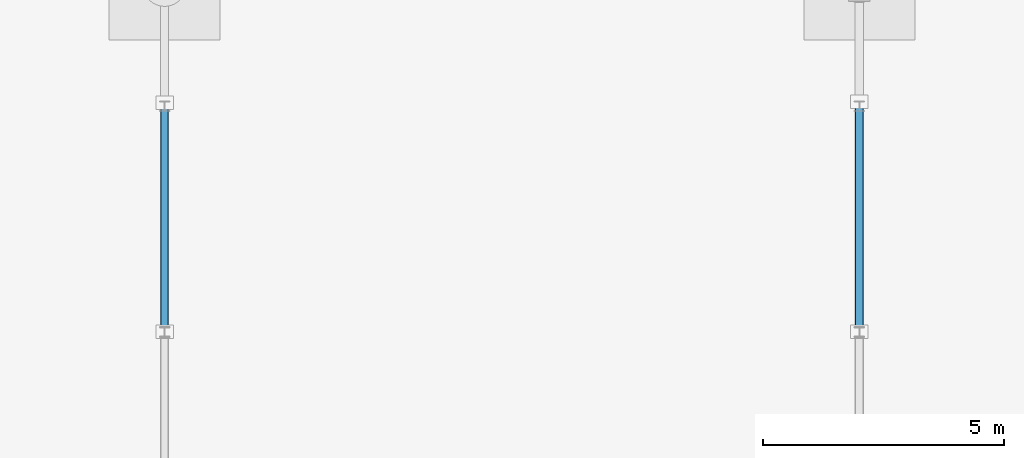
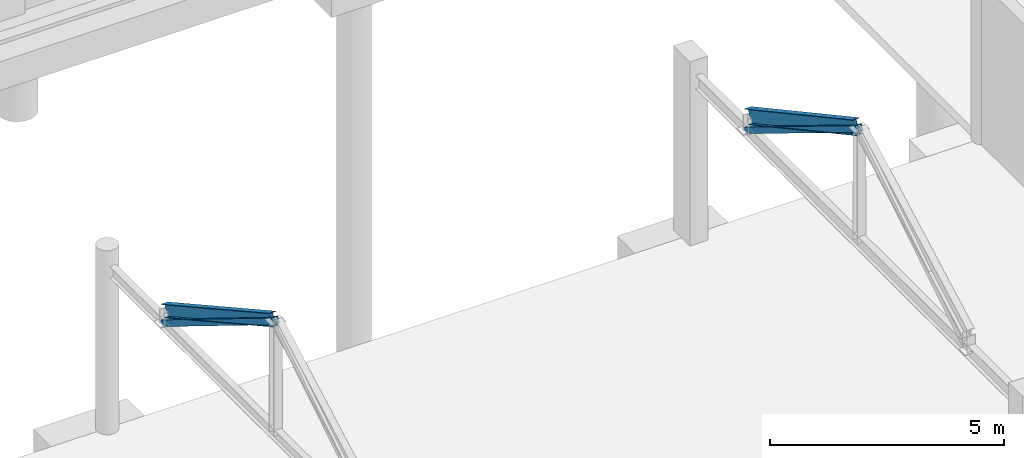
# One storey, part 126 of 285: 2 beams, 2 members.
"""IFC4 building model written with IfcOpenShell, lengths in metres."""

from ifc_helpers import new_model, si_unit, direction, frame, origin, origin_2d, place, context, subcontext, project, spatial, hollow_rectangle, i_section, extrude, material, material_profile, profile_set, type_object, element, save


model = new_model("IFC4")

# Units and contexts
model_context = context("Model", 3, precision=1e-05, world=origin(), true_north=direction((0.0, 1.0)))
body_context = subcontext(model_context, "Body", "Model", "MODEL_VIEW")
ifc_project = project(units=[si_unit("LENGTHUNIT", "METRE"), si_unit("AREAUNIT", "SQUARE_METRE"), si_unit("VOLUMEUNIT", "CUBIC_METRE"), si_unit("PLANEANGLEUNIT", "RADIAN"), si_unit("MASSUNIT", "GRAM", prefix="KILO")], contexts=[model_context])

# Site, building, storey
site_placement = place(None, origin())
site = spatial("IfcSite", under=ifc_project, at=site_placement, CompositionType="ELEMENT")
building_placement = place(site_placement, origin())
building = spatial("IfcBuilding", under=site, at=building_placement, Name="Solanera Park Tramway Depot", CompositionType="ELEMENT")
storey_placement = place(building_placement, origin())
storey = spatial("IfcBuildingStorey", under=building, at=storey_placement, Name="L00", CompositionType="ELEMENT", Elevation=0.0)

# Beams
ifc_material_1 = material(Name="Steel AS/NZS 3679.1 Grade 350", Category="steel")
ifc_material_profile_1 = material_profile(ifc_material_1, i_section(OverallWidth=0.166015625, OverallDepth=0.30712890625, WebThickness=0.006591796875, FlangeThickness=0.01171875, at=origin_2d()), Name="310UB46.2")
ifc_profile_set_1 = profile_set([ifc_material_profile_1], Name="Steel AS/NZS 3679.1 Grade 350")
beam_type_1 = type_object("IfcBeamType", Name="Steel Beam 310UB46.2", PredefinedType="BEAM", material=ifc_profile_set_1)
beam_1_placement = place(storey_placement, frame((165.60009765625, 93.659912109375, 7.175048828125), z_axis=(0.0, 0.874575503769, -0.484889356666), x_axis=(-1.0, 0.0, 0.0)))
element("IfcBeam", 1, at=beam_1_placement, inside=storey, type_object=beam_type_1, Name="L00 Hip ROOF TRUSS Rafter 310UB46.2 #1115", PredefinedType="BEAM", context=body_context, shape_type="SweptSolid", body=[
    extrude(i_section(OverallWidth=0.166015625, OverallDepth=0.30712890625, WebThickness=0.006591796875, FlangeThickness=0.01171875, at=origin_2d()), origin(), (0.0, 0.0, 1.0), 5.28271484375),
])
ifc_material_2 = material(Name="Steel AS/NZS 3679.1 Grade 350", Category="steel")
ifc_material_profile_2 = material_profile(ifc_material_2, i_section(OverallWidth=0.17138671875, OverallDepth=0.355712890625, WebThickness=0.00732421875, FlangeThickness=0.011474609375, at=origin_2d()), Name="360UB50.7")
ifc_profile_set_2 = profile_set([ifc_material_profile_2], Name="Steel AS/NZS 3679.1 Grade 350")
beam_type_2 = type_object("IfcBeamType", Name="Steel Beam 360UB50.7", PredefinedType="BEAM", material=ifc_profile_set_2)
beam_2_placement = place(storey_placement, frame((180.0, 93.659912109375, 7.15087890625), z_axis=(0.0, 0.878444933441, -0.47784359252), x_axis=(-1.0, 0.0, 0.0)))
element("IfcBeam", 2, at=beam_2_placement, inside=storey, type_object=beam_type_2, Name="L00 Hip ROOF TRUSS Rafter 360UB50.7 #1118", PredefinedType="BEAM", context=body_context, shape_type="SweptSolid", body=[
    extrude(i_section(OverallWidth=0.17138671875, OverallDepth=0.355712890625, WebThickness=0.00732421875, FlangeThickness=0.011474609375, at=origin_2d()), origin(), (0.0, 0.0, 1.0), 5.259521484375),
])

# Members
ifc_material_3 = material(Name="Steel AS/NZS 1163 Grade C350L0", Category="steel")
ifc_material_profile_3 = material_profile(ifc_material_3, hollow_rectangle(XDim=0.14990234375, YDim=0.14990234375, WallThickness=0.006103515625, at=origin_2d()), Name="150x150x6.0 SHS")
ifc_profile_set_3 = profile_set([ifc_material_profile_3], Name="Steel AS/NZS 1163 Grade C350L0")
member_type = type_object("IfcMemberType", Name="Truss and Frame Brace 150x150x6.0 SHS", PredefinedType="BRACE", material=ifc_profile_set_3)
member_1_placement = place(storey_placement, frame((165.60009765625, 98.35009765625, 4.246337890625), z_axis=(0.0, -0.851207354197, 0.524829534383), x_axis=(1.0, 0.0, 0.0)))
element("IfcMember", 3, at=member_1_placement, inside=storey, type_object=member_type, Name="Hip ROOF TRUSS Web #0484", PredefinedType="BRACE", context=body_context, shape_type="SweptSolid", body=[
    extrude(hollow_rectangle(XDim=0.14990234375, YDim=0.14990234375, WallThickness=0.006103515625, at=origin_2d()), origin(), (0.0, 0.0, 1.0), 5.580322265625),
])
member_2_placement = place(storey_placement, frame((180.0, 98.375, 4.22216796875), z_axis=(0.0, -0.852429571059, 0.522842066388), x_axis=(1.0, 0.0, 0.0)))
element("IfcMember", 4, at=member_2_placement, inside=storey, type_object=member_type, Name="Hip ROOF TRUSS Web #0486", PredefinedType="BRACE", context=body_context, shape_type="SweptSolid", body=[
    extrude(hollow_rectangle(XDim=0.14990234375, YDim=0.14990234375, WallThickness=0.006103515625, at=origin_2d()), origin(), (0.0, 0.0, 1.0), 5.6015625),
])

save(model, "model.ifc")
